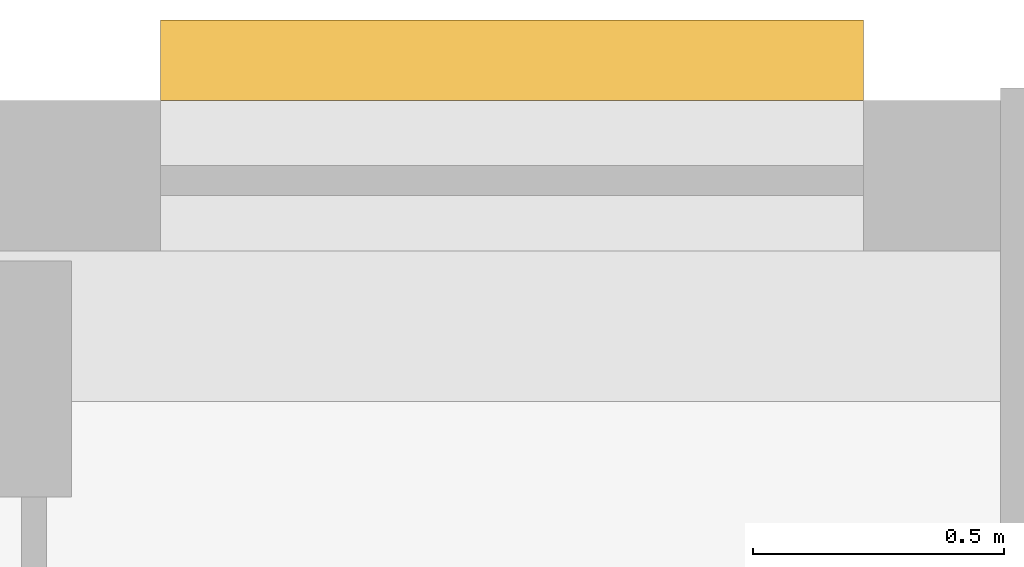
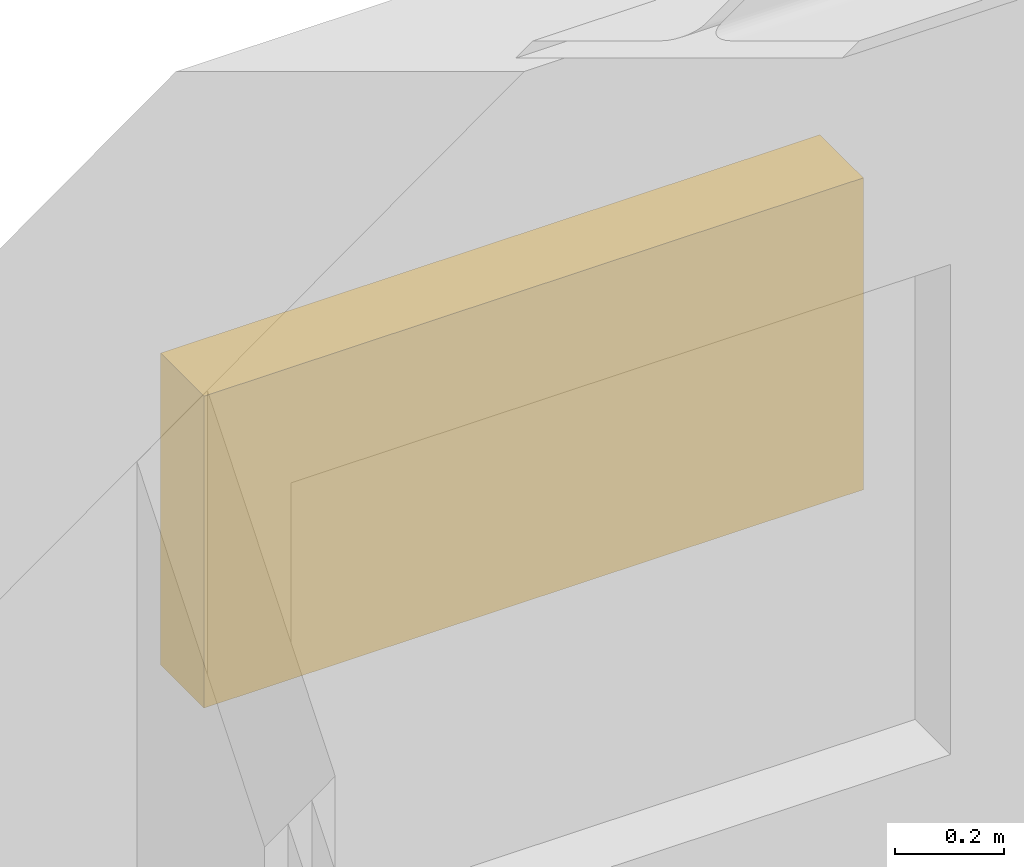
# One storey, part 10 of 10: 1 shading device.
"""IFC4 building model written with IfcOpenShell, lengths in metres."""

from ifc_helpers import new_model, si_unit, direction, frame, origin, origin_2d, place, context, subcontext, project, spatial, rectangle, extrude, material, type_object, element, save


model = new_model("IFC4")

# Units and contexts
model_context = context("Model", 3, precision=1e-05, world=origin(), true_north=direction((0.0, 1.0)))
body_context = subcontext(model_context, "Body", "Model", "MODEL_VIEW")
ifc_project = project(units=[si_unit("LENGTHUNIT", "METRE"), si_unit("AREAUNIT", "SQUARE_METRE"), si_unit("VOLUMEUNIT", "CUBIC_METRE"), si_unit("PLANEANGLEUNIT", "RADIAN"), si_unit("MASSUNIT", "GRAM", prefix="KILO")], contexts=[model_context])

# Site, building, storey
site_placement = place(None, origin())
site = spatial("IfcSite", under=ifc_project, at=site_placement, CompositionType="ELEMENT")
building_placement = place(site_placement, origin())
building = spatial("IfcBuilding", under=site, at=building_placement, Name="Orvandelia Arch Residences", CompositionType="ELEMENT")
storey_placement = place(building_placement, frame((0.0, 0.0, 150.39990234375)))
storey = spatial("IfcBuildingStorey", under=building, at=storey_placement, Name="L39", CompositionType="ELEMENT", Elevation=150.39990234375)

# Shading device
ifc_material = material(Name="Anodised Champagne-Bronze Extruded Aluminium", Category="aluminium")
shading_device_type = type_object("IfcShadingDeviceType", Name="SHD-JALOUSIE-SCREEN", PredefinedType="JALOUSIE", material=ifc_material)
shading_device_placement = place(storey_placement, frame((17.75244140625, 48.080078125, 1.05029296875), z_axis=(0.0, 0.0, 1.0), x_axis=(1.0, 0.0, 0.0)))
element("IfcShadingDevice", 1, at=shading_device_placement, inside=storey, type_object=shading_device_type, Name="Bronze Jalousie Sun-Shade L39-001", PredefinedType="JALOUSIE", context=body_context, shape_type="SweptSolid", body=[
    extrude(rectangle(XDim=1.39990234375, YDim=0.159912109375, at=origin_2d()), origin(), (0.0, 0.0, 1.0), 0.699951171875),
])

save(model, "model.ifc")
